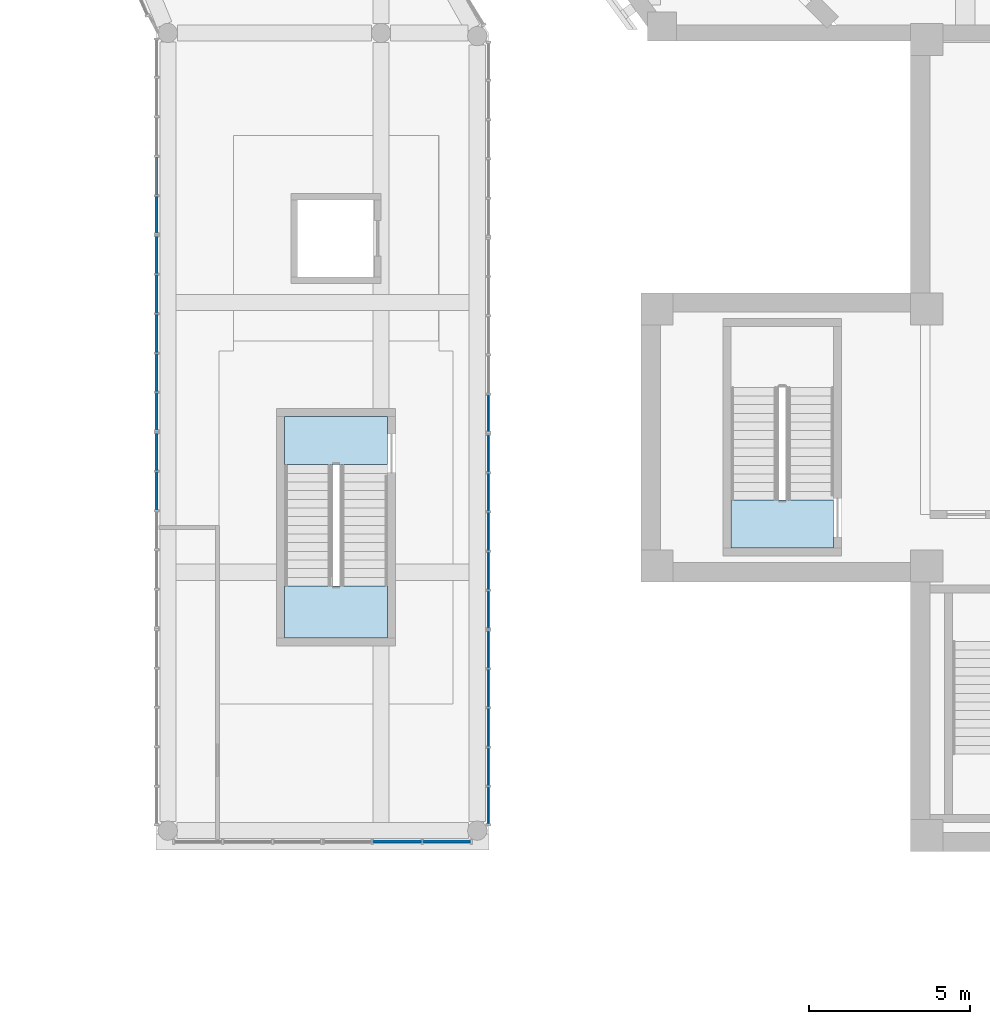
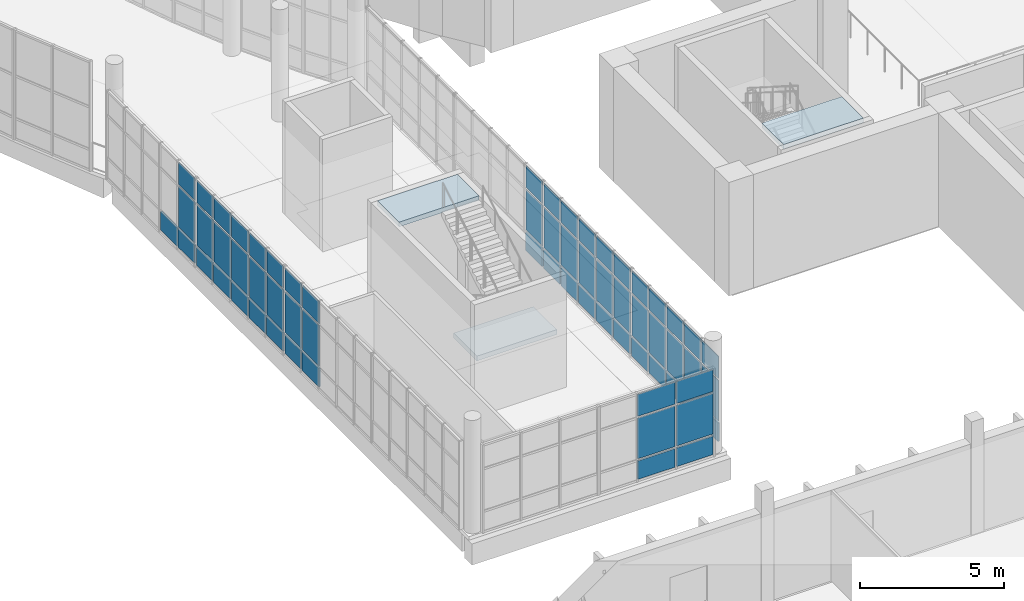
# One storey, part 42 of 119: 64 plates, 3 slabs, 9 elements without a shape of their own.
"""IFC4 building model written with IfcOpenShell, lengths in metres."""

from ifc_helpers import new_model, si_unit, direction, frame, origin, origin_2d, place, context, subcontext, project, spatial, polyline, rectangle, outline, extrude, material, layer, layer_set, type_object, element, aggregate, save


model = new_model("IFC4")

# Units and contexts
model_context = context("Model", 3, precision=1e-05, world=origin(), true_north=direction((0.0, 1.0)))
body_context = subcontext(model_context, "Body", "Model", "MODEL_VIEW")
ifc_project = project(units=[si_unit("LENGTHUNIT", "METRE"), si_unit("AREAUNIT", "SQUARE_METRE"), si_unit("VOLUMEUNIT", "CUBIC_METRE"), si_unit("PLANEANGLEUNIT", "RADIAN"), si_unit("MASSUNIT", "GRAM", prefix="KILO")], contexts=[model_context])

# Site, building, storey
site_placement = place(None, origin())
site = spatial("IfcSite", under=ifc_project, at=site_placement, CompositionType="ELEMENT")
building_placement = place(site_placement, origin())
building = spatial("IfcBuilding", under=site, at=building_placement, Name="Larchfold Concert Hall", CompositionType="ELEMENT")
storey_placement = place(building_placement, frame((0.0, 0.0, 4.800048828125)))
storey = spatial("IfcBuildingStorey", under=building, at=storey_placement, Name="L01", CompositionType="ELEMENT", Elevation=4.800048828125)

# Curtain wall, plates
ifc_material_1 = material(Name="Anodised graphite aluminium curtain wall", Category="aluminium")
ifc_layer_1 = layer(ifc_material_1, 0.14990234375)
ifc_layer_set_1 = layer_set([ifc_layer_1], Name="Anodised graphite aluminium curtain wall")
curtain_wall_type = type_object("IfcCurtainWallType", Name="Curtain wall WG", PredefinedType="NOTDEFINED", material=ifc_layer_set_1)
curtain_wall_1_placement = place(storey_placement, origin())
curtain_wall_1 = element("IfcCurtainWall", 1, at=curtain_wall_1_placement, inside=storey, type_object=curtain_wall_type, Name="Curtain wall CW0204", PredefinedType="NOTDEFINED")
ifc_material_2 = material(Name="Insulated glazing unit, glass", Category="glass")
ifc_layer_2 = layer(ifc_material_2, 0.028076171875)
ifc_layer_set_2 = layer_set([ifc_layer_2], Name="Insulated glazing unit, glass")
plate_type_1 = type_object("IfcPlateType", Name="Glass panel 28", PredefinedType="CURTAIN_PANEL", material=ifc_layer_set_2)
plate_1_placement = place(storey_placement, frame((10.408447265625, 53.736572265625, 0.93994140625), z_axis=(0.0, 0.0, 1.0), x_axis=(0.0, -1.0, 0.0)))
plate_1 = element("IfcPlate", 2, at=plate_1_placement, type_object=plate_type_1, Name="CW0204 panel 5.2", PredefinedType="CURTAIN_PANEL", context=body_context, shape_type="SweptSolid", body=[
    extrude(rectangle(XDim=1.13671875, YDim=0.028076171875, at=origin_2d()), origin(), (0.0, 0.0, 1.0), 1.719970703125),
])
plate_2_placement = place(storey_placement, frame((10.408447265625, 53.736572265625, 2.740234375), z_axis=(0.0, 0.0, 1.0), x_axis=(0.0, -1.0, 0.0)))
plate_2 = element("IfcPlate", 3, at=plate_2_placement, type_object=plate_type_1, Name="CW0204 panel 5.3", PredefinedType="CURTAIN_PANEL", context=body_context, shape_type="SweptSolid", body=[
    extrude(rectangle(XDim=1.13671875, YDim=0.028076171875, at=origin_2d()), origin(), (0.0, 0.0, 1.0), 0.929931640625),
])

curtain_wall_2_placement = place(storey_placement, origin())
curtain_wall_2 = element("IfcCurtainWall", 4, at=curtain_wall_2_placement, inside=storey, type_object=curtain_wall_type, Name="Curtain wall CW0205", PredefinedType="NOTDEFINED")
plate_3_placement = place(storey_placement, frame((10.408447265625, 52.479736328125, 0.93994140625), z_axis=(0.0, 0.0, 1.0), x_axis=(0.0, -1.0, 0.0)))
plate_3 = element("IfcPlate", 5, at=plate_3_placement, type_object=plate_type_1, Name="CW0205 panel 1.2", PredefinedType="CURTAIN_PANEL", context=body_context, shape_type="SweptSolid", body=[
    extrude(rectangle(XDim=1.13671875, YDim=0.028076171875, at=origin_2d()), origin(), (0.0, 0.0, 1.0), 1.719970703125),
])
plate_4_placement = place(storey_placement, frame((10.408447265625, 52.479736328125, 2.740234375), z_axis=(0.0, 0.0, 1.0), x_axis=(0.0, -1.0, 0.0)))
plate_4 = element("IfcPlate", 6, at=plate_4_placement, type_object=plate_type_1, Name="CW0205 panel 1.3", PredefinedType="CURTAIN_PANEL", context=body_context, shape_type="SweptSolid", body=[
    extrude(rectangle(XDim=1.13671875, YDim=0.028076171875, at=origin_2d()), origin(), (0.0, 0.0, 1.0), 0.929931640625),
])
plate_5_placement = place(storey_placement, frame((10.408447265625, 51.268310546875, 0.93994140625), z_axis=(0.0, 0.0, 1.0), x_axis=(0.0, -1.0, 0.0)))
plate_5 = element("IfcPlate", 7, at=plate_5_placement, type_object=plate_type_1, Name="CW0205 panel 2.2", PredefinedType="CURTAIN_PANEL", context=body_context, shape_type="SweptSolid", body=[
    extrude(rectangle(XDim=1.16650390625, YDim=0.028076171875, at=origin_2d()), origin(), (0.0, 0.0, 1.0), 1.719970703125),
])
plate_6_placement = place(storey_placement, frame((10.408447265625, 51.268310546875, 2.740234375), z_axis=(0.0, 0.0, 1.0), x_axis=(0.0, -1.0, 0.0)))
plate_6 = element("IfcPlate", 8, at=plate_6_placement, type_object=plate_type_1, Name="CW0205 panel 2.3", PredefinedType="CURTAIN_PANEL", context=body_context, shape_type="SweptSolid", body=[
    extrude(rectangle(XDim=1.16650390625, YDim=0.028076171875, at=origin_2d()), origin(), (0.0, 0.0, 1.0), 0.929931640625),
])
plate_7_placement = place(storey_placement, frame((10.408447265625, 50.041748046875, 0.93994140625), z_axis=(0.0, 0.0, 1.0), x_axis=(0.0, -1.0, 0.0)))
plate_7 = element("IfcPlate", 9, at=plate_7_placement, type_object=plate_type_1, Name="CW0205 panel 3.2", PredefinedType="CURTAIN_PANEL", context=body_context, shape_type="SweptSolid", body=[
    extrude(rectangle(XDim=1.16650390625, YDim=0.028076171875, at=origin_2d()), origin(), (0.0, 0.0, 1.0), 1.719970703125),
])
plate_8_placement = place(storey_placement, frame((10.408447265625, 50.041748046875, 2.740234375), z_axis=(0.0, 0.0, 1.0), x_axis=(0.0, -1.0, 0.0)))
plate_8 = element("IfcPlate", 10, at=plate_8_placement, type_object=plate_type_1, Name="CW0205 panel 3.3", PredefinedType="CURTAIN_PANEL", context=body_context, shape_type="SweptSolid", body=[
    extrude(rectangle(XDim=1.16650390625, YDim=0.028076171875, at=origin_2d()), origin(), (0.0, 0.0, 1.0), 0.929931640625),
])
plate_9_placement = place(storey_placement, frame((10.408447265625, 48.81494140625, 0.93994140625), z_axis=(0.0, 0.0, 1.0), x_axis=(0.0, -1.0, 0.0)))
plate_9 = element("IfcPlate", 11, at=plate_9_placement, type_object=plate_type_1, Name="CW0205 panel 4.2", PredefinedType="CURTAIN_PANEL", context=body_context, shape_type="SweptSolid", body=[
    extrude(rectangle(XDim=1.16650390625, YDim=0.028076171875, at=origin_2d()), origin(), (0.0, 0.0, 1.0), 1.719970703125),
])
plate_10_placement = place(storey_placement, frame((10.408447265625, 48.81494140625, 2.740234375), z_axis=(0.0, 0.0, 1.0), x_axis=(0.0, -1.0, 0.0)))
plate_10 = element("IfcPlate", 12, at=plate_10_placement, type_object=plate_type_1, Name="CW0205 panel 4.3", PredefinedType="CURTAIN_PANEL", context=body_context, shape_type="SweptSolid", body=[
    extrude(rectangle(XDim=1.16650390625, YDim=0.028076171875, at=origin_2d()), origin(), (0.0, 0.0, 1.0), 0.929931640625),
])
plate_11_placement = place(storey_placement, frame((10.408447265625, 47.603515625, 0.93994140625), z_axis=(0.0, 0.0, 1.0), x_axis=(0.0, -1.0, 0.0)))
plate_11 = element("IfcPlate", 13, at=plate_11_placement, type_object=plate_type_1, Name="CW0205 panel 5.2", PredefinedType="CURTAIN_PANEL", context=body_context, shape_type="SweptSolid", body=[
    extrude(rectangle(XDim=1.13671875, YDim=0.028076171875, at=origin_2d()), origin(), (0.0, 0.0, 1.0), 1.719970703125),
])
plate_12_placement = place(storey_placement, frame((10.408447265625, 47.603515625, 2.740234375), z_axis=(0.0, 0.0, 1.0), x_axis=(0.0, -1.0, 0.0)))
plate_12 = element("IfcPlate", 14, at=plate_12_placement, type_object=plate_type_1, Name="CW0205 panel 5.3", PredefinedType="CURTAIN_PANEL", context=body_context, shape_type="SweptSolid", body=[
    extrude(rectangle(XDim=1.13671875, YDim=0.028076171875, at=origin_2d()), origin(), (0.0, 0.0, 1.0), 0.929931640625),
])

curtain_wall_3_placement = place(storey_placement, origin())
curtain_wall_3 = element("IfcCurtainWall", 15, at=curtain_wall_3_placement, inside=storey, type_object=curtain_wall_type, Name="Curtain wall CW0206", PredefinedType="NOTDEFINED")
plate_13_placement = place(storey_placement, frame((10.408447265625, 46.3466796875, 0.93994140625), z_axis=(0.0, 0.0, 1.0), x_axis=(0.0, -1.0, 0.0)))
plate_13 = element("IfcPlate", 16, at=plate_13_placement, type_object=plate_type_1, Name="CW0206 panel 1.2", PredefinedType="CURTAIN_PANEL", context=body_context, shape_type="SweptSolid", body=[
    extrude(rectangle(XDim=1.13671875, YDim=0.028076171875, at=origin_2d()), origin(), (0.0, 0.0, 1.0), 1.719970703125),
])
plate_14_placement = place(storey_placement, frame((10.408447265625, 46.3466796875, 2.740234375), z_axis=(0.0, 0.0, 1.0), x_axis=(0.0, -1.0, 0.0)))
plate_14 = element("IfcPlate", 17, at=plate_14_placement, type_object=plate_type_1, Name="CW0206 panel 1.3", PredefinedType="CURTAIN_PANEL", context=body_context, shape_type="SweptSolid", body=[
    extrude(rectangle(XDim=1.13671875, YDim=0.028076171875, at=origin_2d()), origin(), (0.0, 0.0, 1.0), 0.929931640625),
])
plate_15_placement = place(storey_placement, frame((10.408447265625, 45.135009765625, 0.93994140625), z_axis=(0.0, 0.0, 1.0), x_axis=(0.0, -1.0, 0.0)))
plate_15 = element("IfcPlate", 18, at=plate_15_placement, type_object=plate_type_1, Name="CW0206 panel 2.2", PredefinedType="CURTAIN_PANEL", context=body_context, shape_type="SweptSolid", body=[
    extrude(rectangle(XDim=1.166748046875, YDim=0.028076171875, at=origin_2d()), origin(), (0.0, 0.0, 1.0), 1.719970703125),
])
plate_16_placement = place(storey_placement, frame((10.408447265625, 45.135009765625, 2.740234375), z_axis=(0.0, 0.0, 1.0), x_axis=(0.0, -1.0, 0.0)))
plate_16 = element("IfcPlate", 19, at=plate_16_placement, type_object=plate_type_1, Name="CW0206 panel 2.3", PredefinedType="CURTAIN_PANEL", context=body_context, shape_type="SweptSolid", body=[
    extrude(rectangle(XDim=1.166748046875, YDim=0.028076171875, at=origin_2d()), origin(), (0.0, 0.0, 1.0), 0.929931640625),
])

curtain_wall_4_placement = place(storey_placement, origin())
curtain_wall_4 = element("IfcCurtainWall", 20, at=curtain_wall_4_placement, inside=storey, type_object=curtain_wall_type, Name="Curtain wall CW0209", PredefinedType="NOTDEFINED")
plate_17_placement = place(storey_placement, frame((17.91015625, 34.199951171875, 0.93994140625), z_axis=(0.0, 0.0, 1.0), x_axis=(1.0, 0.0, 0.0)))
plate_17 = element("IfcPlate", 21, at=plate_17_placement, type_object=plate_type_1, Name="CW0209 panel 2.2", PredefinedType="CURTAIN_PANEL", context=body_context, shape_type="SweptSolid", body=[
    extrude(rectangle(XDim=1.494384765625, YDim=0.028076171875, at=origin_2d()), origin(), (0.0, 0.0, 1.0), 1.719970703125),
])
plate_18_placement = place(storey_placement, frame((17.91015625, 34.199951171875, 2.740234375), z_axis=(0.0, 0.0, 1.0), x_axis=(1.0, 0.0, 0.0)))
plate_18 = element("IfcPlate", 22, at=plate_18_placement, type_object=plate_type_1, Name="CW0209 panel 2.3", PredefinedType="CURTAIN_PANEL", context=body_context, shape_type="SweptSolid", body=[
    extrude(rectangle(XDim=1.494384765625, YDim=0.028076171875, at=origin_2d()), origin(), (0.0, 0.0, 1.0), 0.929931640625),
])
plate_19_placement = place(storey_placement, frame((19.44921875, 34.199951171875, 0.93994140625), z_axis=(0.0, 0.0, 1.0), x_axis=(1.0, 0.0, 0.0)))
plate_19 = element("IfcPlate", 23, at=plate_19_placement, type_object=plate_type_1, Name="CW0209 panel 3.2", PredefinedType="CURTAIN_PANEL", context=body_context, shape_type="SweptSolid", body=[
    extrude(rectangle(XDim=1.46435546875, YDim=0.028076171875, at=origin_2d()), origin(), (0.0, 0.0, 1.0), 1.719970703125),
])
plate_20_placement = place(storey_placement, frame((19.44921875, 34.199951171875, 2.740234375), z_axis=(0.0, 0.0, 1.0), x_axis=(1.0, 0.0, 0.0)))
plate_20 = element("IfcPlate", 24, at=plate_20_placement, type_object=plate_type_1, Name="CW0209 panel 3.3", PredefinedType="CURTAIN_PANEL", context=body_context, shape_type="SweptSolid", body=[
    extrude(rectangle(XDim=1.46435546875, YDim=0.028076171875, at=origin_2d()), origin(), (0.0, 0.0, 1.0), 0.929931640625),
])

curtain_wall_5_placement = place(storey_placement, origin())
curtain_wall_5 = element("IfcCurtainWall", 25, at=curtain_wall_5_placement, inside=storey, type_object=curtain_wall_type, Name="Curtain wall CW0210", PredefinedType="NOTDEFINED")
plate_21_placement = place(storey_placement, frame((20.748779296875, 35.333984375, 0.93994140625), z_axis=(0.0, 0.0, 1.0), x_axis=(0.0, 1.0, 0.0)))
plate_21 = element("IfcPlate", 26, at=plate_21_placement, type_object=plate_type_1, Name="CW0210 panel 1.2", PredefinedType="CURTAIN_PANEL", context=body_context, shape_type="SweptSolid", body=[
    extrude(rectangle(XDim=1.1318359375, YDim=0.028076171875, at=origin_2d()), origin(), (0.0, 0.0, 1.0), 1.719970703125),
])
plate_22_placement = place(storey_placement, frame((20.748779296875, 35.333984375, 2.740234375), z_axis=(0.0, 0.0, 1.0), x_axis=(0.0, 1.0, 0.0)))
plate_22 = element("IfcPlate", 27, at=plate_22_placement, type_object=plate_type_1, Name="CW0210 panel 1.3", PredefinedType="CURTAIN_PANEL", context=body_context, shape_type="SweptSolid", body=[
    extrude(rectangle(XDim=1.1318359375, YDim=0.028076171875, at=origin_2d()), origin(), (0.0, 0.0, 1.0), 0.929931640625),
])
plate_23_placement = place(storey_placement, frame((20.748779296875, 36.540771484375, 0.93994140625), z_axis=(0.0, 0.0, 1.0), x_axis=(0.0, 1.0, 0.0)))
plate_23 = element("IfcPlate", 28, at=plate_23_placement, type_object=plate_type_1, Name="CW0210 panel 2.2", PredefinedType="CURTAIN_PANEL", context=body_context, shape_type="SweptSolid", body=[
    extrude(rectangle(XDim=1.161865234375, YDim=0.028076171875, at=origin_2d()), origin(), (0.0, 0.0, 1.0), 1.719970703125),
])
plate_24_placement = place(storey_placement, frame((20.748779296875, 36.540771484375, 2.740234375), z_axis=(0.0, 0.0, 1.0), x_axis=(0.0, 1.0, 0.0)))
plate_24 = element("IfcPlate", 29, at=plate_24_placement, type_object=plate_type_1, Name="CW0210 panel 2.3", PredefinedType="CURTAIN_PANEL", context=body_context, shape_type="SweptSolid", body=[
    extrude(rectangle(XDim=1.161865234375, YDim=0.028076171875, at=origin_2d()), origin(), (0.0, 0.0, 1.0), 0.929931640625),
])
plate_25_placement = place(storey_placement, frame((20.748779296875, 37.762451171875, 0.93994140625), z_axis=(0.0, 0.0, 1.0), x_axis=(0.0, 1.0, 0.0)))
plate_25 = element("IfcPlate", 30, at=plate_25_placement, type_object=plate_type_1, Name="CW0210 panel 3.2", PredefinedType="CURTAIN_PANEL", context=body_context, shape_type="SweptSolid", body=[
    extrude(rectangle(XDim=1.161865234375, YDim=0.028076171875, at=origin_2d()), origin(), (0.0, 0.0, 1.0), 1.719970703125),
])
plate_26_placement = place(storey_placement, frame((20.748779296875, 37.762451171875, 2.740234375), z_axis=(0.0, 0.0, 1.0), x_axis=(0.0, 1.0, 0.0)))
plate_26 = element("IfcPlate", 31, at=plate_26_placement, type_object=plate_type_1, Name="CW0210 panel 3.3", PredefinedType="CURTAIN_PANEL", context=body_context, shape_type="SweptSolid", body=[
    extrude(rectangle(XDim=1.161865234375, YDim=0.028076171875, at=origin_2d()), origin(), (0.0, 0.0, 1.0), 0.929931640625),
])
plate_27_placement = place(storey_placement, frame((20.748779296875, 38.984130859375, 0.93994140625), z_axis=(0.0, 0.0, 1.0), x_axis=(0.0, 1.0, 0.0)))
plate_27 = element("IfcPlate", 32, at=plate_27_placement, type_object=plate_type_1, Name="CW0210 panel 4.2", PredefinedType="CURTAIN_PANEL", context=body_context, shape_type="SweptSolid", body=[
    extrude(rectangle(XDim=1.161865234375, YDim=0.028076171875, at=origin_2d()), origin(), (0.0, 0.0, 1.0), 1.719970703125),
])
plate_28_placement = place(storey_placement, frame((20.748779296875, 38.984130859375, 2.740234375), z_axis=(0.0, 0.0, 1.0), x_axis=(0.0, 1.0, 0.0)))
plate_28 = element("IfcPlate", 33, at=plate_28_placement, type_object=plate_type_1, Name="CW0210 panel 4.3", PredefinedType="CURTAIN_PANEL", context=body_context, shape_type="SweptSolid", body=[
    extrude(rectangle(XDim=1.161865234375, YDim=0.028076171875, at=origin_2d()), origin(), (0.0, 0.0, 1.0), 0.929931640625),
])
plate_29_placement = place(storey_placement, frame((20.748779296875, 40.19091796875, 0.93994140625), z_axis=(0.0, 0.0, 1.0), x_axis=(0.0, 1.0, 0.0)))
plate_29 = element("IfcPlate", 34, at=plate_29_placement, type_object=plate_type_1, Name="CW0210 panel 5.2", PredefinedType="CURTAIN_PANEL", context=body_context, shape_type="SweptSolid", body=[
    extrude(rectangle(XDim=1.1318359375, YDim=0.028076171875, at=origin_2d()), origin(), (0.0, 0.0, 1.0), 1.719970703125),
])
plate_30_placement = place(storey_placement, frame((20.748779296875, 40.19091796875, 2.740234375), z_axis=(0.0, 0.0, 1.0), x_axis=(0.0, 1.0, 0.0)))
plate_30 = element("IfcPlate", 35, at=plate_30_placement, type_object=plate_type_1, Name="CW0210 panel 5.3", PredefinedType="CURTAIN_PANEL", context=body_context, shape_type="SweptSolid", body=[
    extrude(rectangle(XDim=1.1318359375, YDim=0.028076171875, at=origin_2d()), origin(), (0.0, 0.0, 1.0), 0.929931640625),
])

curtain_wall_6_placement = place(storey_placement, origin())
curtain_wall_6 = element("IfcCurtainWall", 36, at=curtain_wall_6_placement, inside=storey, type_object=curtain_wall_type, Name="Curtain wall CW0211", PredefinedType="NOTDEFINED")
plate_31_placement = place(storey_placement, frame((20.748779296875, 41.44287109375, 0.93994140625), z_axis=(0.0, 0.0, 1.0), x_axis=(0.0, 1.0, 0.0)))
plate_31 = element("IfcPlate", 37, at=plate_31_placement, type_object=plate_type_1, Name="CW0211 panel 1.2", PredefinedType="CURTAIN_PANEL", context=body_context, shape_type="SweptSolid", body=[
    extrude(rectangle(XDim=1.1318359375, YDim=0.028076171875, at=origin_2d()), origin(), (0.0, 0.0, 1.0), 1.719970703125),
])
plate_32_placement = place(storey_placement, frame((20.748779296875, 41.44287109375, 2.740234375), z_axis=(0.0, 0.0, 1.0), x_axis=(0.0, 1.0, 0.0)))
plate_32 = element("IfcPlate", 38, at=plate_32_placement, type_object=plate_type_1, Name="CW0211 panel 1.3", PredefinedType="CURTAIN_PANEL", context=body_context, shape_type="SweptSolid", body=[
    extrude(rectangle(XDim=1.1318359375, YDim=0.028076171875, at=origin_2d()), origin(), (0.0, 0.0, 1.0), 0.929931640625),
])
plate_33_placement = place(storey_placement, frame((20.748779296875, 42.6494140625, 0.93994140625), z_axis=(0.0, 0.0, 1.0), x_axis=(0.0, 1.0, 0.0)))
plate_33 = element("IfcPlate", 39, at=plate_33_placement, type_object=plate_type_1, Name="CW0211 panel 2.2", PredefinedType="CURTAIN_PANEL", context=body_context, shape_type="SweptSolid", body=[
    extrude(rectangle(XDim=1.16162109375, YDim=0.028076171875, at=origin_2d()), origin(), (0.0, 0.0, 1.0), 1.719970703125),
])
plate_34_placement = place(storey_placement, frame((20.748779296875, 42.6494140625, 2.740234375), z_axis=(0.0, 0.0, 1.0), x_axis=(0.0, 1.0, 0.0)))
plate_34 = element("IfcPlate", 40, at=plate_34_placement, type_object=plate_type_1, Name="CW0211 panel 2.3", PredefinedType="CURTAIN_PANEL", context=body_context, shape_type="SweptSolid", body=[
    extrude(rectangle(XDim=1.16162109375, YDim=0.028076171875, at=origin_2d()), origin(), (0.0, 0.0, 1.0), 0.929931640625),
])
plate_35_placement = place(storey_placement, frame((20.748779296875, 43.87109375, 0.93994140625), z_axis=(0.0, 0.0, 1.0), x_axis=(0.0, 1.0, 0.0)))
plate_35 = element("IfcPlate", 41, at=plate_35_placement, type_object=plate_type_1, Name="CW0211 panel 3.2", PredefinedType="CURTAIN_PANEL", context=body_context, shape_type="SweptSolid", body=[
    extrude(rectangle(XDim=1.16162109375, YDim=0.028076171875, at=origin_2d()), origin(), (0.0, 0.0, 1.0), 1.719970703125),
])
plate_36_placement = place(storey_placement, frame((20.748779296875, 43.87109375, 2.740234375), z_axis=(0.0, 0.0, 1.0), x_axis=(0.0, 1.0, 0.0)))
plate_36 = element("IfcPlate", 42, at=plate_36_placement, type_object=plate_type_1, Name="CW0211 panel 3.3", PredefinedType="CURTAIN_PANEL", context=body_context, shape_type="SweptSolid", body=[
    extrude(rectangle(XDim=1.16162109375, YDim=0.028076171875, at=origin_2d()), origin(), (0.0, 0.0, 1.0), 0.929931640625),
])
plate_37_placement = place(storey_placement, frame((20.748779296875, 45.093017578125, 0.93994140625), z_axis=(0.0, 0.0, 1.0), x_axis=(0.0, 1.0, 0.0)))
plate_37 = element("IfcPlate", 43, at=plate_37_placement, type_object=plate_type_1, Name="CW0211 panel 4.2", PredefinedType="CURTAIN_PANEL", context=body_context, shape_type="SweptSolid", body=[
    extrude(rectangle(XDim=1.16162109375, YDim=0.028076171875, at=origin_2d()), origin(), (0.0, 0.0, 1.0), 1.719970703125),
])
plate_38_placement = place(storey_placement, frame((20.748779296875, 45.093017578125, 2.740234375), z_axis=(0.0, 0.0, 1.0), x_axis=(0.0, 1.0, 0.0)))
plate_38 = element("IfcPlate", 44, at=plate_38_placement, type_object=plate_type_1, Name="CW0211 panel 4.3", PredefinedType="CURTAIN_PANEL", context=body_context, shape_type="SweptSolid", body=[
    extrude(rectangle(XDim=1.16162109375, YDim=0.028076171875, at=origin_2d()), origin(), (0.0, 0.0, 1.0), 0.929931640625),
])
plate_39_placement = place(storey_placement, frame((20.748779296875, 46.299560546875, 0.93994140625), z_axis=(0.0, 0.0, 1.0), x_axis=(0.0, 1.0, 0.0)))
plate_39 = element("IfcPlate", 45, at=plate_39_placement, type_object=plate_type_1, Name="CW0211 panel 5.2", PredefinedType="CURTAIN_PANEL", context=body_context, shape_type="SweptSolid", body=[
    extrude(rectangle(XDim=1.1318359375, YDim=0.028076171875, at=origin_2d()), origin(), (0.0, 0.0, 1.0), 1.719970703125),
])
plate_40_placement = place(storey_placement, frame((20.748779296875, 46.299560546875, 2.740234375), z_axis=(0.0, 0.0, 1.0), x_axis=(0.0, 1.0, 0.0)))
plate_40 = element("IfcPlate", 46, at=plate_40_placement, type_object=plate_type_1, Name="CW0211 panel 5.3", PredefinedType="CURTAIN_PANEL", context=body_context, shape_type="SweptSolid", body=[
    extrude(rectangle(XDim=1.1318359375, YDim=0.028076171875, at=origin_2d()), origin(), (0.0, 0.0, 1.0), 0.929931640625),
])

curtain_wall_7_placement = place(storey_placement, origin())
curtain_wall_7 = element("IfcCurtainWall", 47, at=curtain_wall_7_placement, inside=storey, type_object=curtain_wall_type, Name="Curtain wall CW0212", PredefinedType="NOTDEFINED")
plate_41_placement = place(storey_placement, frame((20.748779296875, 47.551513671875, 0.93994140625), z_axis=(0.0, 0.0, 1.0), x_axis=(0.0, 1.0, 0.0)))
plate_41 = element("IfcPlate", 48, at=plate_41_placement, type_object=plate_type_1, Name="CW0212 panel 1.2", PredefinedType="CURTAIN_PANEL", context=body_context, shape_type="SweptSolid", body=[
    extrude(rectangle(XDim=1.1318359375, YDim=0.028076171875, at=origin_2d()), origin(), (0.0, 0.0, 1.0), 1.719970703125),
])
plate_42_placement = place(storey_placement, frame((20.748779296875, 47.551513671875, 2.740234375), z_axis=(0.0, 0.0, 1.0), x_axis=(0.0, 1.0, 0.0)))
plate_42 = element("IfcPlate", 49, at=plate_42_placement, type_object=plate_type_1, Name="CW0212 panel 1.3", PredefinedType="CURTAIN_PANEL", context=body_context, shape_type="SweptSolid", body=[
    extrude(rectangle(XDim=1.1318359375, YDim=0.028076171875, at=origin_2d()), origin(), (0.0, 0.0, 1.0), 0.929931640625),
])

# Plate
ifc_material_3 = material(Name="White insulated panel")
ifc_layer_3 = layer(ifc_material_3, 0.06005859375)
ifc_layer_set_3 = layer_set([ifc_layer_3], Name="White insulated panel")
plate_type_2 = type_object("IfcPlateType", Name="Insulated spandrel panel 60", PredefinedType="CURTAIN_PANEL", material=ifc_layer_set_3)
plate_43_placement = place(storey_placement, frame((10.408447265625, 54.947998046875, 0.080078125), z_axis=(0.0, 0.0, 1.0), x_axis=(0.0, -1.0, 0.0)))
plate_43 = element("IfcPlate", 50, at=plate_43_placement, type_object=plate_type_2, Name="CW0204 panel 4.1", PredefinedType="CURTAIN_PANEL", context=body_context, shape_type="SweptSolid", body=[
    extrude(rectangle(XDim=1.16650390625, YDim=0.06005859375, at=origin_2d()), origin(), (0.0, 0.0, 1.0), 0.77978515625),
])

plate_44_placement = place(storey_placement, frame((10.408447265625, 53.736572265625, 0.080078125), z_axis=(0.0, 0.0, 1.0), x_axis=(0.0, -1.0, 0.0)))
plate_44 = element("IfcPlate", 51, at=plate_44_placement, type_object=plate_type_2, Name="CW0204 panel 5.1", PredefinedType="CURTAIN_PANEL", context=body_context, shape_type="SweptSolid", body=[
    extrude(rectangle(XDim=1.13671875, YDim=0.06005859375, at=origin_2d()), origin(), (0.0, 0.0, 1.0), 0.77978515625),
])

aggregate(curtain_wall_1, [plate_43, plate_44, plate_1, plate_2])

plate_45_placement = place(storey_placement, frame((10.408447265625, 52.479736328125, 0.080078125), z_axis=(0.0, 0.0, 1.0), x_axis=(0.0, -1.0, 0.0)))
plate_45 = element("IfcPlate", 52, at=plate_45_placement, type_object=plate_type_2, Name="CW0205 panel 1.1", PredefinedType="CURTAIN_PANEL", context=body_context, shape_type="SweptSolid", body=[
    extrude(rectangle(XDim=1.13671875, YDim=0.06005859375, at=origin_2d()), origin(), (0.0, 0.0, 1.0), 0.77978515625),
])

plate_46_placement = place(storey_placement, frame((10.408447265625, 51.268310546875, 0.080078125), z_axis=(0.0, 0.0, 1.0), x_axis=(0.0, -1.0, 0.0)))
plate_46 = element("IfcPlate", 53, at=plate_46_placement, type_object=plate_type_2, Name="CW0205 panel 2.1", PredefinedType="CURTAIN_PANEL", context=body_context, shape_type="SweptSolid", body=[
    extrude(rectangle(XDim=1.16650390625, YDim=0.06005859375, at=origin_2d()), origin(), (0.0, 0.0, 1.0), 0.77978515625),
])

plate_47_placement = place(storey_placement, frame((10.408447265625, 50.041748046875, 0.080078125), z_axis=(0.0, 0.0, 1.0), x_axis=(0.0, -1.0, 0.0)))
plate_47 = element("IfcPlate", 54, at=plate_47_placement, type_object=plate_type_2, Name="CW0205 panel 3.1", PredefinedType="CURTAIN_PANEL", context=body_context, shape_type="SweptSolid", body=[
    extrude(rectangle(XDim=1.16650390625, YDim=0.06005859375, at=origin_2d()), origin(), (0.0, 0.0, 1.0), 0.77978515625),
])

plate_48_placement = place(storey_placement, frame((10.408447265625, 48.81494140625, 0.080078125), z_axis=(0.0, 0.0, 1.0), x_axis=(0.0, -1.0, 0.0)))
plate_48 = element("IfcPlate", 55, at=plate_48_placement, type_object=plate_type_2, Name="CW0205 panel 4.1", PredefinedType="CURTAIN_PANEL", context=body_context, shape_type="SweptSolid", body=[
    extrude(rectangle(XDim=1.16650390625, YDim=0.06005859375, at=origin_2d()), origin(), (0.0, 0.0, 1.0), 0.77978515625),
])

plate_49_placement = place(storey_placement, frame((10.408447265625, 47.603515625, 0.080078125), z_axis=(0.0, 0.0, 1.0), x_axis=(0.0, -1.0, 0.0)))
plate_49 = element("IfcPlate", 56, at=plate_49_placement, type_object=plate_type_2, Name="CW0205 panel 5.1", PredefinedType="CURTAIN_PANEL", context=body_context, shape_type="SweptSolid", body=[
    extrude(rectangle(XDim=1.13671875, YDim=0.06005859375, at=origin_2d()), origin(), (0.0, 0.0, 1.0), 0.77978515625),
])

aggregate(curtain_wall_2, [plate_45, plate_3, plate_4, plate_46, plate_5, plate_6, plate_47, plate_7, plate_8, plate_48, plate_9, plate_10, plate_49, plate_11, plate_12])

plate_50_placement = place(storey_placement, frame((10.408447265625, 46.3466796875, 0.080078125), z_axis=(0.0, 0.0, 1.0), x_axis=(0.0, -1.0, 0.0)))
plate_50 = element("IfcPlate", 57, at=plate_50_placement, type_object=plate_type_2, Name="CW0206 panel 1.1", PredefinedType="CURTAIN_PANEL", context=body_context, shape_type="SweptSolid", body=[
    extrude(rectangle(XDim=1.13671875, YDim=0.06005859375, at=origin_2d()), origin(), (0.0, 0.0, 1.0), 0.77978515625),
])

plate_51_placement = place(storey_placement, frame((10.408447265625, 45.135009765625, 0.080078125), z_axis=(0.0, 0.0, 1.0), x_axis=(0.0, -1.0, 0.0)))
plate_51 = element("IfcPlate", 58, at=plate_51_placement, type_object=plate_type_2, Name="CW0206 panel 2.1", PredefinedType="CURTAIN_PANEL", context=body_context, shape_type="SweptSolid", body=[
    extrude(rectangle(XDim=1.166748046875, YDim=0.06005859375, at=origin_2d()), origin(), (0.0, 0.0, 1.0), 0.77978515625),
])

aggregate(curtain_wall_3, [plate_50, plate_13, plate_14, plate_51, plate_15, plate_16])

plate_52_placement = place(storey_placement, frame((17.91015625, 34.199951171875, 0.080078125), z_axis=(0.0, 0.0, 1.0), x_axis=(1.0, 0.0, 0.0)))
plate_52 = element("IfcPlate", 59, at=plate_52_placement, type_object=plate_type_2, Name="CW0209 panel 2.1", PredefinedType="CURTAIN_PANEL", context=body_context, shape_type="SweptSolid", body=[
    extrude(rectangle(XDim=1.494384765625, YDim=0.06005859375, at=origin_2d()), origin(), (0.0, 0.0, 1.0), 0.77978515625),
])

plate_53_placement = place(storey_placement, frame((19.44921875, 34.199951171875, 0.080078125), z_axis=(0.0, 0.0, 1.0), x_axis=(1.0, 0.0, 0.0)))
plate_53 = element("IfcPlate", 60, at=plate_53_placement, type_object=plate_type_2, Name="CW0209 panel 3.1", PredefinedType="CURTAIN_PANEL", context=body_context, shape_type="SweptSolid", body=[
    extrude(rectangle(XDim=1.46435546875, YDim=0.06005859375, at=origin_2d()), origin(), (0.0, 0.0, 1.0), 0.77978515625),
])

aggregate(curtain_wall_4, [plate_52, plate_17, plate_18, plate_53, plate_19, plate_20])

plate_54_placement = place(storey_placement, frame((20.748779296875, 35.333984375, 0.080078125), z_axis=(0.0, 0.0, 1.0), x_axis=(0.0, 1.0, 0.0)))
plate_54 = element("IfcPlate", 61, at=plate_54_placement, type_object=plate_type_2, Name="CW0210 panel 1.1", PredefinedType="CURTAIN_PANEL", context=body_context, shape_type="SweptSolid", body=[
    extrude(rectangle(XDim=1.1318359375, YDim=0.06005859375, at=origin_2d()), origin(), (0.0, 0.0, 1.0), 0.77978515625),
])

plate_55_placement = place(storey_placement, frame((20.748779296875, 36.540771484375, 0.080078125), z_axis=(0.0, 0.0, 1.0), x_axis=(0.0, 1.0, 0.0)))
plate_55 = element("IfcPlate", 62, at=plate_55_placement, type_object=plate_type_2, Name="CW0210 panel 2.1", PredefinedType="CURTAIN_PANEL", context=body_context, shape_type="SweptSolid", body=[
    extrude(rectangle(XDim=1.161865234375, YDim=0.06005859375, at=origin_2d()), origin(), (0.0, 0.0, 1.0), 0.77978515625),
])

plate_56_placement = place(storey_placement, frame((20.748779296875, 37.762451171875, 0.080078125), z_axis=(0.0, 0.0, 1.0), x_axis=(0.0, 1.0, 0.0)))
plate_56 = element("IfcPlate", 63, at=plate_56_placement, type_object=plate_type_2, Name="CW0210 panel 3.1", PredefinedType="CURTAIN_PANEL", context=body_context, shape_type="SweptSolid", body=[
    extrude(rectangle(XDim=1.161865234375, YDim=0.06005859375, at=origin_2d()), origin(), (0.0, 0.0, 1.0), 0.77978515625),
])

plate_57_placement = place(storey_placement, frame((20.748779296875, 38.984130859375, 0.080078125), z_axis=(0.0, 0.0, 1.0), x_axis=(0.0, 1.0, 0.0)))
plate_57 = element("IfcPlate", 64, at=plate_57_placement, type_object=plate_type_2, Name="CW0210 panel 4.1", PredefinedType="CURTAIN_PANEL", context=body_context, shape_type="SweptSolid", body=[
    extrude(rectangle(XDim=1.161865234375, YDim=0.06005859375, at=origin_2d()), origin(), (0.0, 0.0, 1.0), 0.77978515625),
])

plate_58_placement = place(storey_placement, frame((20.748779296875, 40.19091796875, 0.080078125), z_axis=(0.0, 0.0, 1.0), x_axis=(0.0, 1.0, 0.0)))
plate_58 = element("IfcPlate", 65, at=plate_58_placement, type_object=plate_type_2, Name="CW0210 panel 5.1", PredefinedType="CURTAIN_PANEL", context=body_context, shape_type="SweptSolid", body=[
    extrude(rectangle(XDim=1.1318359375, YDim=0.06005859375, at=origin_2d()), origin(), (0.0, 0.0, 1.0), 0.77978515625),
])

aggregate(curtain_wall_5, [plate_54, plate_21, plate_22, plate_55, plate_23, plate_24, plate_56, plate_25, plate_26, plate_57, plate_27, plate_28, plate_58, plate_29, plate_30])

plate_59_placement = place(storey_placement, frame((20.748779296875, 41.44287109375, 0.080078125), z_axis=(0.0, 0.0, 1.0), x_axis=(0.0, 1.0, 0.0)))
plate_59 = element("IfcPlate", 66, at=plate_59_placement, type_object=plate_type_2, Name="CW0211 panel 1.1", PredefinedType="CURTAIN_PANEL", context=body_context, shape_type="SweptSolid", body=[
    extrude(rectangle(XDim=1.1318359375, YDim=0.06005859375, at=origin_2d()), origin(), (0.0, 0.0, 1.0), 0.77978515625),
])

plate_60_placement = place(storey_placement, frame((20.748779296875, 42.6494140625, 0.080078125), z_axis=(0.0, 0.0, 1.0), x_axis=(0.0, 1.0, 0.0)))
plate_60 = element("IfcPlate", 67, at=plate_60_placement, type_object=plate_type_2, Name="CW0211 panel 2.1", PredefinedType="CURTAIN_PANEL", context=body_context, shape_type="SweptSolid", body=[
    extrude(rectangle(XDim=1.16162109375, YDim=0.06005859375, at=origin_2d()), origin(), (0.0, 0.0, 1.0), 0.77978515625),
])

plate_61_placement = place(storey_placement, frame((20.748779296875, 43.87109375, 0.080078125), z_axis=(0.0, 0.0, 1.0), x_axis=(0.0, 1.0, 0.0)))
plate_61 = element("IfcPlate", 68, at=plate_61_placement, type_object=plate_type_2, Name="CW0211 panel 3.1", PredefinedType="CURTAIN_PANEL", context=body_context, shape_type="SweptSolid", body=[
    extrude(rectangle(XDim=1.16162109375, YDim=0.06005859375, at=origin_2d()), origin(), (0.0, 0.0, 1.0), 0.77978515625),
])

plate_62_placement = place(storey_placement, frame((20.748779296875, 45.093017578125, 0.080078125), z_axis=(0.0, 0.0, 1.0), x_axis=(0.0, 1.0, 0.0)))
plate_62 = element("IfcPlate", 69, at=plate_62_placement, type_object=plate_type_2, Name="CW0211 panel 4.1", PredefinedType="CURTAIN_PANEL", context=body_context, shape_type="SweptSolid", body=[
    extrude(rectangle(XDim=1.16162109375, YDim=0.06005859375, at=origin_2d()), origin(), (0.0, 0.0, 1.0), 0.77978515625),
])

plate_63_placement = place(storey_placement, frame((20.748779296875, 46.299560546875, 0.080078125), z_axis=(0.0, 0.0, 1.0), x_axis=(0.0, 1.0, 0.0)))
plate_63 = element("IfcPlate", 70, at=plate_63_placement, type_object=plate_type_2, Name="CW0211 panel 5.1", PredefinedType="CURTAIN_PANEL", context=body_context, shape_type="SweptSolid", body=[
    extrude(rectangle(XDim=1.1318359375, YDim=0.06005859375, at=origin_2d()), origin(), (0.0, 0.0, 1.0), 0.77978515625),
])

aggregate(curtain_wall_6, [plate_59, plate_31, plate_32, plate_60, plate_33, plate_34, plate_61, plate_35, plate_36, plate_62, plate_37, plate_38, plate_63, plate_39, plate_40])

plate_64_placement = place(storey_placement, frame((20.748779296875, 47.551513671875, 0.080078125), z_axis=(0.0, 0.0, 1.0), x_axis=(0.0, 1.0, 0.0)))
plate_64 = element("IfcPlate", 71, at=plate_64_placement, type_object=plate_type_2, Name="CW0212 panel 1.1", PredefinedType="CURTAIN_PANEL", context=body_context, shape_type="SweptSolid", body=[
    extrude(rectangle(XDim=1.1318359375, YDim=0.06005859375, at=origin_2d()), origin(), (0.0, 0.0, 1.0), 0.77978515625),
])

aggregate(curtain_wall_7, [plate_64, plate_41, plate_42])

# Stair, slab
ifc_material_4 = material(Name="Concrete C35/45", Category="concrete")
stair_type = type_object("IfcStairType", Name="Stair RC half-turn enclosed", PredefinedType="HALF_TURN_STAIR", material=ifc_material_4)
stair_1_placement = place(storey_placement, origin())
stair_1 = element("IfcStair", 72, at=stair_1_placement, inside=storey, type_object=stair_type, Name="Stair SH1", PredefinedType="HALF_TURN_STAIR")
ifc_material_5 = material(Name="Concrete C35/45", Category="concrete")
ifc_layer_4 = layer(ifc_material_5, 0.199951171875)
ifc_layer_set_4 = layer_set([ifc_layer_4], Name="Concrete C35/45")
slab_type = type_object("IfcSlabType", Name="Stair landing RC 200", PredefinedType="LANDING", material=ifc_layer_set_4)
slab_1_placement = place(storey_placement, frame((0.0, 0.0, 4.599853515625)))
slab_1 = element("IfcSlab", 73, at=slab_1_placement, type_object=slab_type, Name="ST09 landing 2", PredefinedType="LANDING", context=body_context, shape_type="SweptSolid", body=[
    extrude(outline(polyline([(31.5, 43.35009765625), (31.5, 44.85009765625), (28.300048828125, 44.85009765625), (28.300048828125, 43.35009765625), (31.5, 43.35009765625)])), origin(), (0.0, 0.0, 1.0), 0.2001953125),
])
aggregate(stair_1, [slab_1])

# Stair, slabs
stair_2_placement = place(storey_placement, origin())
stair_2 = element("IfcStair", 74, at=stair_2_placement, inside=storey, type_object=stair_type, Name="Stair WG1", PredefinedType="HALF_TURN_STAIR")
slab_2_placement = place(storey_placement, frame((0.0, 0.0, 2.199951171875)))
slab_2 = element("IfcSlab", 75, at=slab_2_placement, type_object=slab_type, Name="ST23 landing 1", PredefinedType="LANDING", context=body_context, shape_type="SweptSolid", body=[
    extrude(outline(polyline([(14.39990234375, 42.169921875), (14.39990234375, 40.550048828125), (17.599853515625, 40.550048828125), (17.599853515625, 42.169921875), (14.39990234375, 42.169921875)])), origin(), (0.0, 0.0, 1.0), 0.199951171875),
])
slab_3_placement = place(storey_placement, frame((0.0, 0.0, 4.599853515625)))
slab_3 = element("IfcSlab", 76, at=slab_3_placement, type_object=slab_type, Name="ST23 landing 2", PredefinedType="LANDING", context=body_context, shape_type="SweptSolid", body=[
    extrude(outline(polyline([(14.39990234375, 47.449951171875), (14.39990234375, 45.949951171875), (17.60009765625, 45.949951171875), (17.60009765625, 47.449951171875), (14.39990234375, 47.449951171875)])), origin(), (0.0, 0.0, 1.0), 0.2001953125),
])
aggregate(stair_2, [slab_2, slab_3])

save(model, "model.ifc")
